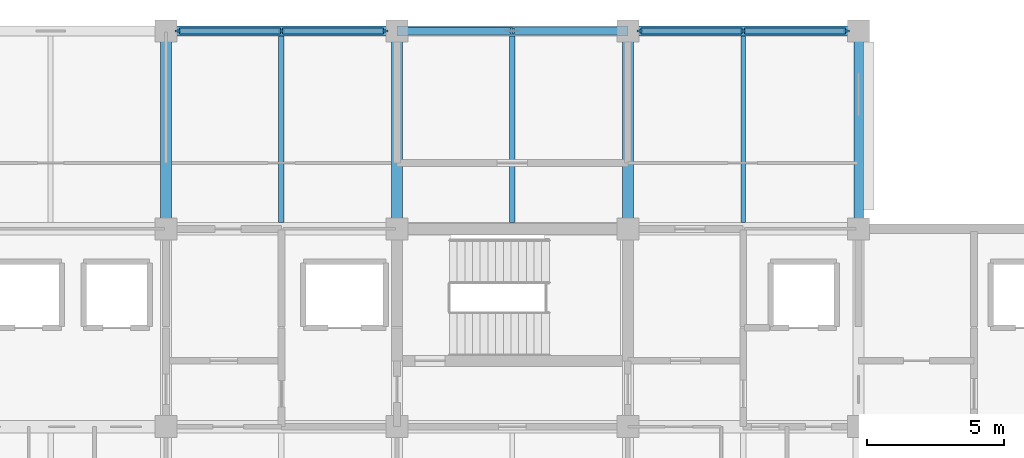
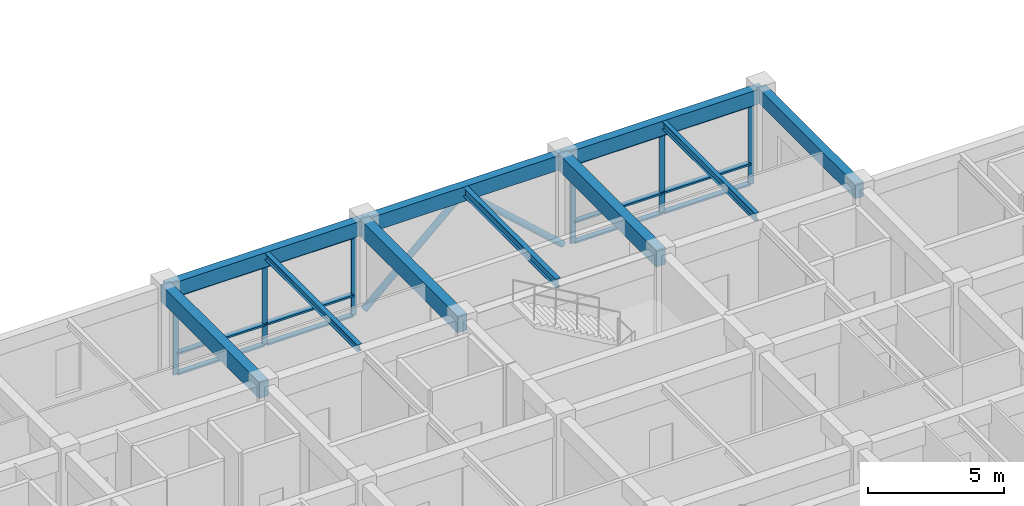
# One storey, part 9 of 30: 20 members, 10 beams, 2 elements without a shape of their own.
"""IFC4 building model written with IfcOpenShell, lengths in metres."""

from ifc_helpers import new_model, si_unit, direction, frame, origin, origin_2d, place, context, subcontext, project, spatial, rectangle, hollow_circle, i_section, extrude, material, layer, layer_set, material_profile, profile_set, type_object, element, aggregate, save


model = new_model("IFC4")

# Units and contexts
model_context = context("Model", 3, precision=1e-05, world=origin(), true_north=direction((0.0, 1.0)))
body_context = subcontext(model_context, "Body", "Model", "MODEL_VIEW")
ifc_project = project(units=[si_unit("LENGTHUNIT", "METRE"), si_unit("AREAUNIT", "SQUARE_METRE"), si_unit("VOLUMEUNIT", "CUBIC_METRE"), si_unit("PLANEANGLEUNIT", "RADIAN"), si_unit("MASSUNIT", "GRAM", prefix="KILO")], contexts=[model_context])

# Site, building, storey
site_placement = place(None, origin())
site = spatial("IfcSite", under=ifc_project, at=site_placement, CompositionType="ELEMENT")
building_placement = place(site_placement, origin())
building = spatial("IfcBuilding", under=site, at=building_placement, Name="Chengyuan Square Courthouse", CompositionType="ELEMENT")
storey_placement = place(building_placement, frame((0.0, 0.0, 26.10009765625)))
storey = spatial("IfcBuildingStorey", under=building, at=storey_placement, Name="L06", CompositionType="ELEMENT", Elevation=26.10009765625)

# Beams
ifc_material_1 = material(Name="Concrete C40", Category="concrete")
ifc_material_profile_1 = material_profile(ifc_material_1, rectangle(XDim=0.39990234375, YDim=0.75, at=origin_2d()), Name="RC-BM-400x750")
ifc_profile_set_1 = profile_set([ifc_material_profile_1], Name="Concrete C40")
beam_type_1 = type_object("IfcBeamType", Name="BM-02", PredefinedType="USERDEFINED", material=ifc_profile_set_1)
for number, where, z_axis, x_axis, name in (
    (1, (92.39990234375, 108.0, 3.864990234375), (0.0, 1.0, 0.0), (-1.0, 0.0, 0.0), "Girder BM-L06-3498"),
    (2, (100.800048828125, 108.0, 3.864990234375), (0.0, 1.0, 0.0), (-1.0, 0.0, 0.0), "Girder BM-L06-3503"),
    (3, (109.199951171875, 108.0, 3.864990234375), (0.0, 1.0, 0.0), (-1.0, 0.0, 0.0), "Girder BM-L06-3508"),
):
    element("IfcBeam", number, at=place(storey_placement, frame(where, z_axis=z_axis, x_axis=x_axis)), inside=storey, type_object=beam_type_1, Name=name, ObjectType="GIRDER", PredefinedType="USERDEFINED", context=body_context, shape_type="SweptSolid", body=[
        extrude(rectangle(XDim=0.39990234375, YDim=0.75, at=origin_2d()), origin(), (0.0, 0.0, 1.0), 7.199951171875),
    ])
ifc_material_profile_2 = material_profile(ifc_material_1, rectangle(XDim=0.35009765625, YDim=0.64990234375, at=origin_2d()), Name="RC-BM-350x650")
ifc_profile_set_2 = profile_set([ifc_material_profile_2], Name="Concrete C40")
beam_type_2 = type_object("IfcBeamType", Name="BM-03", PredefinedType="SPANDREL", material=ifc_profile_set_2)
beam_1_placement = place(storey_placement, frame((92.39990234375, 115.199951171875, 3.914794921875), z_axis=(1.0, 0.0, 0.0), x_axis=(0.0, 1.0, 0.0)))
element("IfcBeam", 4, at=beam_1_placement, inside=storey, type_object=beam_type_2, Name="Girder BM-L06-3457", PredefinedType="SPANDREL", context=body_context, shape_type="SweptSolid", body=[
    extrude(rectangle(XDim=0.35009765625, YDim=0.64990234375, at=origin_2d()), origin(), (0.0, 0.0, 1.0), 8.400146484375),
])
beam_2_placement = place(storey_placement, frame((100.800048828125, 115.199951171875, 3.914794921875), z_axis=(1.0, 0.0, 0.0), x_axis=(0.0, 1.0, 0.0)))
element("IfcBeam", 5, at=beam_2_placement, inside=storey, type_object=beam_type_2, Name="Girder BM-L06-3458", PredefinedType="SPANDREL", context=body_context, shape_type="SweptSolid", body=[
    extrude(rectangle(XDim=0.35009765625, YDim=0.64990234375, at=origin_2d()), origin(), (0.0, 0.0, 1.0), 8.39990234375),
])
beam_3_placement = place(storey_placement, frame((109.199951171875, 115.199951171875, 3.914794921875), z_axis=(1.0, 0.0, 0.0), x_axis=(0.0, 1.0, 0.0)))
element("IfcBeam", 6, at=beam_3_placement, inside=storey, type_object=beam_type_2, Name="Girder BM-L06-3459", PredefinedType="SPANDREL", context=body_context, shape_type="SweptSolid", body=[
    extrude(rectangle(XDim=0.35009765625, YDim=0.64990234375, at=origin_2d()), origin(), (0.0, 0.0, 1.0), 8.400146484375),
])
beam_4_placement = place(storey_placement, frame((117.60009765625, 108.0, 3.914794921875), z_axis=(0.0, 1.0, 0.0), x_axis=(-1.0, 0.0, 0.0)))
element("IfcBeam", 7, at=beam_4_placement, inside=storey, type_object=beam_type_2, Name="Girder BM-L06-3513", PredefinedType="SPANDREL", context=body_context, shape_type="SweptSolid", body=[
    extrude(rectangle(XDim=0.35009765625, YDim=0.64990234375, at=origin_2d()), origin(), (0.0, 0.0, 1.0), 7.199951171875),
])
ifc_material_2 = material(Name="Steel Q355B", Category="steel")
ifc_material_profile_3 = material_profile(ifc_material_2, i_section(OverallWidth=0.199951171875, OverallDepth=0.39990234375, WebThickness=0.008056640625, FlangeThickness=0.012939453125, at=origin_2d()), Name="HN 400x200x8x13")
ifc_profile_set_3 = profile_set([ifc_material_profile_3], Name="Steel Q355B")
beam_type_3 = type_object("IfcBeamType", Name="BM-07", PredefinedType="BEAM", material=ifc_profile_set_3)
beam_5_placement = place(storey_placement, frame((105.0, 108.22509765625, 4.039794921875), z_axis=(0.0, 1.0, 0.0), x_axis=(-1.0, 0.0, 0.0)))
element("IfcBeam", 8, at=beam_5_placement, inside=storey, type_object=beam_type_3, Name="Secondary Floor Beam SBM-L06-3560", PredefinedType="BEAM", context=body_context, shape_type="SweptSolid", body=[
    extrude(i_section(OverallWidth=0.199951171875, OverallDepth=0.39990234375, WebThickness=0.008056640625, FlangeThickness=0.012939453125, at=origin_2d()), origin(), (0.0, 0.0, 1.0), 6.7998046875),
])
ifc_material_profile_4 = material_profile(ifc_material_2, i_section(OverallWidth=0.175048828125, OverallDepth=0.35009765625, WebThickness=0.007080078125, FlangeThickness=0.010986328125, at=origin_2d()), Name="HN 350x175x7x11")
ifc_profile_set_4 = profile_set([ifc_material_profile_4], Name="Steel Q355B")
beam_type_4 = type_object("IfcBeamType", Name="BM-08", PredefinedType="BEAM", material=ifc_profile_set_4)
beam_6_placement = place(storey_placement, frame((113.39990234375, 108.22509765625, 4.06494140625), z_axis=(0.0, 1.0, 0.0), x_axis=(-1.0, 0.0, 0.0)))
element("IfcBeam", 9, at=beam_6_placement, inside=storey, type_object=beam_type_4, Name="Secondary Floor Beam SBM-L06-3565", PredefinedType="BEAM", context=body_context, shape_type="SweptSolid", body=[
    extrude(i_section(OverallWidth=0.175048828125, OverallDepth=0.35009765625, WebThickness=0.007080078125, FlangeThickness=0.010986328125, at=origin_2d()), origin(), (0.0, 0.0, 1.0), 6.7998046875),
])
ifc_material_profile_5 = material_profile(ifc_material_2, i_section(OverallWidth=0.199951171875, OverallDepth=0.300048828125, WebThickness=0.008056640625, FlangeThickness=0.011962890625, at=origin_2d()), Name="HM 300x200x8x12")
ifc_profile_set_5 = profile_set([ifc_material_profile_5], Name="Steel Q355B")
beam_type_5 = type_object("IfcBeamType", Name="BM-09", PredefinedType="BEAM", material=ifc_profile_set_5)
beam_7_placement = place(storey_placement, frame((96.60009765625, 108.22509765625, 4.08984375), z_axis=(0.0, 1.0, 0.0), x_axis=(-1.0, 0.0, 0.0)))
element("IfcBeam", 10, at=beam_7_placement, inside=storey, type_object=beam_type_5, Name="Secondary Floor Beam SBM-L06-3557", PredefinedType="BEAM", context=body_context, shape_type="SweptSolid", body=[
    extrude(i_section(OverallWidth=0.199951171875, OverallDepth=0.300048828125, WebThickness=0.008056640625, FlangeThickness=0.011962890625, at=origin_2d()), origin(), (0.0, 0.0, 1.0), 6.7998046875),
])

# Members
ifc_material_profile_6 = material_profile(ifc_material_2, hollow_circle(Radius=0.136474609375, WallThickness=0.010009765625, at=origin_2d()), Name="CHS 273x10")
ifc_profile_set_6 = profile_set([ifc_material_profile_6], Name="Steel Q355B")
member_type_1 = type_object("IfcMemberType", Name="BR-01", PredefinedType="BRACE", material=ifc_profile_set_6)
for number, where, z_axis, x_axis, name in (
    (11, (100.800048828125, 115.199951171875, 0.099853515625), (0.742407252639, 0.0, 0.669948857174), (0.0, 1.0, 0.0), "Steel Chevron Brace BR-L06-023"),
    (12, (109.199951171875, 115.199951171875, 0.099853515625), (-0.742407252639, 0.0, 0.669948857174), (0.0, -1.0, 0.0), "Steel Chevron Brace BR-L06-024"),
):
    element("IfcMember", number, at=place(storey_placement, frame(where, z_axis=z_axis, x_axis=x_axis)), inside=storey, type_object=member_type_1, Name=name, PredefinedType="BRACE", context=body_context, shape_type="SweptSolid", body=[
        extrude(hollow_circle(Radius=0.136474609375, WallThickness=0.010009765625, at=origin_2d()), origin(), (0.0, 0.0, 1.0), 5.6572265625),
    ])

# Curtain wall, members
ifc_material_3 = material(Name="Unitised Aluminium and Triple Low-E Glass", Category="aluminium")
ifc_layer = layer(ifc_material_3, 0.219970703125)
ifc_layer_set = layer_set([ifc_layer], Name="Unitised Aluminium and Triple Low-E Glass")
curtain_wall_type = type_object("IfcCurtainWallType", Name="CW-16", PredefinedType="USERDEFINED", material=ifc_layer_set)
curtain_wall_1_placement = place(storey_placement, origin())
curtain_wall_1 = element("IfcCurtainWall", 13, at=curtain_wall_1_placement, inside=storey, type_object=curtain_wall_type, Name="Unitised Curtain Wall CW-L06-193", ObjectType="UNITISED CURTAIN WALL", PredefinedType="USERDEFINED")
ifc_material_4 = material(Name="Aluminium 6063-T6 Frame", Category="aluminium")
ifc_material_profile_7 = material_profile(ifc_material_4, rectangle(XDim=0.080078125, YDim=0.219970703125, at=origin_2d()), Name="CW-MUL-80x220")
ifc_profile_set_7 = profile_set([ifc_material_profile_7], Name="Aluminium 6063-T6 Frame")
member_type_2 = type_object("IfcMemberType", Name="CWM-04", PredefinedType="MULLION", material=ifc_profile_set_7)
member_1_placement = place(storey_placement, frame((92.840087890625, 115.199951171875, 0.0), z_axis=(0.0, 0.0, 1.0), x_axis=(0.0, 1.0, 0.0)))
member_1 = element("IfcMember", 14, at=member_1_placement, type_object=member_type_2, Name="CW-16 mullion 1", PredefinedType="MULLION", context=body_context, shape_type="SweptSolid", body=[
    extrude(rectangle(XDim=0.080078125, YDim=0.219970703125, at=origin_2d()), origin(), (0.0, 0.0, 1.0), 3.58984375),
])
member_2_placement = place(storey_placement, frame((96.60009765625, 115.199951171875, 0.0), z_axis=(0.0, 0.0, 1.0), x_axis=(0.0, 1.0, 0.0)))
member_2 = element("IfcMember", 15, at=member_2_placement, type_object=member_type_2, Name="CW-16 mullion 2", PredefinedType="MULLION", context=body_context, shape_type="SweptSolid", body=[
    extrude(rectangle(XDim=0.080078125, YDim=0.219970703125, at=origin_2d()), origin(), (0.0, 0.0, 1.0), 3.58984375),
])
member_3_placement = place(storey_placement, frame((100.360107421875, 115.199951171875, 0.0), z_axis=(0.0, 0.0, 1.0), x_axis=(0.0, 1.0, 0.0)))
member_3 = element("IfcMember", 16, at=member_3_placement, type_object=member_type_2, Name="CW-16 mullion 3", PredefinedType="MULLION", context=body_context, shape_type="SweptSolid", body=[
    extrude(rectangle(XDim=0.080078125, YDim=0.219970703125, at=origin_2d()), origin(), (0.0, 0.0, 1.0), 3.58984375),
])

curtain_wall_2_placement = place(storey_placement, origin())
curtain_wall_2 = element("IfcCurtainWall", 17, at=curtain_wall_2_placement, inside=storey, type_object=curtain_wall_type, Name="Unitised Curtain Wall CW-L06-196", ObjectType="UNITISED CURTAIN WALL", PredefinedType="USERDEFINED")
member_4_placement = place(storey_placement, frame((109.639892578125, 115.199951171875, 0.0), z_axis=(0.0, 0.0, 1.0), x_axis=(0.0, 1.0, 0.0)))
member_4 = element("IfcMember", 18, at=member_4_placement, type_object=member_type_2, Name="CW-16 mullion 1", PredefinedType="MULLION", context=body_context, shape_type="SweptSolid", body=[
    extrude(rectangle(XDim=0.080078125, YDim=0.219970703125, at=origin_2d()), origin(), (0.0, 0.0, 1.0), 3.58984375),
])
member_5_placement = place(storey_placement, frame((113.39990234375, 115.199951171875, 0.0), z_axis=(0.0, 0.0, 1.0), x_axis=(0.0, 1.0, 0.0)))
member_5 = element("IfcMember", 19, at=member_5_placement, type_object=member_type_2, Name="CW-16 mullion 2", PredefinedType="MULLION", context=body_context, shape_type="SweptSolid", body=[
    extrude(rectangle(XDim=0.080078125, YDim=0.219970703125, at=origin_2d()), origin(), (0.0, 0.0, 1.0), 3.58984375),
])
member_6_placement = place(storey_placement, frame((117.159912109375, 115.199951171875, 0.0), z_axis=(0.0, 0.0, 1.0), x_axis=(0.0, 1.0, 0.0)))
member_6 = element("IfcMember", 20, at=member_6_placement, type_object=member_type_2, Name="CW-16 mullion 3", PredefinedType="MULLION", context=body_context, shape_type="SweptSolid", body=[
    extrude(rectangle(XDim=0.080078125, YDim=0.219970703125, at=origin_2d()), origin(), (0.0, 0.0, 1.0), 3.58984375),
])

# Member
ifc_material_profile_8 = material_profile(ifc_material_4, rectangle(XDim=0.219970703125, YDim=0.080078125, at=origin_2d()), Name="CW-TRN-80x180")
ifc_profile_set_8 = profile_set([ifc_material_profile_8], Name="Aluminium 6063-T6 Frame")
member_type_3 = type_object("IfcMemberType", Name="CWT-04", PredefinedType="USERDEFINED", material=ifc_profile_set_8)
member_7_placement = place(storey_placement, frame((92.8798828125, 115.199951171875, 0.039794921875), z_axis=(1.0, 0.0, 0.0), x_axis=(0.0, 1.0, 0.0)))
member_7 = element("IfcMember", 21, at=member_7_placement, type_object=member_type_3, Name="CW-16 transom 1.1", ObjectType="TRANSOM", PredefinedType="USERDEFINED", context=body_context, shape_type="SweptSolid", body=[
    extrude(rectangle(XDim=0.219970703125, YDim=0.080078125, at=origin_2d()), origin(), (0.0, 0.0, 1.0), 3.68017578125),
])

member_8_placement = place(storey_placement, frame((92.8798828125, 115.199951171875, 0.949951171875), z_axis=(1.0, 0.0, 0.0), x_axis=(0.0, 1.0, 0.0)))
member_8 = element("IfcMember", 22, at=member_8_placement, type_object=member_type_3, Name="CW-16 transom 1.2", ObjectType="TRANSOM", PredefinedType="USERDEFINED", context=body_context, shape_type="SweptSolid", body=[
    extrude(rectangle(XDim=0.219970703125, YDim=0.080078125, at=origin_2d()), origin(), (0.0, 0.0, 1.0), 3.68017578125),
])

member_9_placement = place(storey_placement, frame((92.8798828125, 115.199951171875, 3.5498046875), z_axis=(1.0, 0.0, 0.0), x_axis=(0.0, 1.0, 0.0)))
member_9 = element("IfcMember", 23, at=member_9_placement, type_object=member_type_3, Name="CW-16 transom 1.3", ObjectType="TRANSOM", PredefinedType="USERDEFINED", context=body_context, shape_type="SweptSolid", body=[
    extrude(rectangle(XDim=0.219970703125, YDim=0.080078125, at=origin_2d()), origin(), (0.0, 0.0, 1.0), 3.68017578125),
])

member_10_placement = place(storey_placement, frame((96.639892578125, 115.199951171875, 0.039794921875), z_axis=(1.0, 0.0, 0.0), x_axis=(0.0, 1.0, 0.0)))
member_10 = element("IfcMember", 24, at=member_10_placement, type_object=member_type_3, Name="CW-16 transom 2.1", ObjectType="TRANSOM", PredefinedType="USERDEFINED", context=body_context, shape_type="SweptSolid", body=[
    extrude(rectangle(XDim=0.219970703125, YDim=0.080078125, at=origin_2d()), origin(), (0.0, 0.0, 1.0), 3.68017578125),
])

member_11_placement = place(storey_placement, frame((96.639892578125, 115.199951171875, 0.949951171875), z_axis=(1.0, 0.0, 0.0), x_axis=(0.0, 1.0, 0.0)))
member_11 = element("IfcMember", 25, at=member_11_placement, type_object=member_type_3, Name="CW-16 transom 2.2", ObjectType="TRANSOM", PredefinedType="USERDEFINED", context=body_context, shape_type="SweptSolid", body=[
    extrude(rectangle(XDim=0.219970703125, YDim=0.080078125, at=origin_2d()), origin(), (0.0, 0.0, 1.0), 3.68017578125),
])

member_12_placement = place(storey_placement, frame((96.639892578125, 115.199951171875, 3.5498046875), z_axis=(1.0, 0.0, 0.0), x_axis=(0.0, 1.0, 0.0)))
member_12 = element("IfcMember", 26, at=member_12_placement, type_object=member_type_3, Name="CW-16 transom 2.3", ObjectType="TRANSOM", PredefinedType="USERDEFINED", context=body_context, shape_type="SweptSolid", body=[
    extrude(rectangle(XDim=0.219970703125, YDim=0.080078125, at=origin_2d()), origin(), (0.0, 0.0, 1.0), 3.68017578125),
])

aggregate(curtain_wall_1, [member_1, member_2, member_3, member_7, member_8, member_9, member_10, member_11, member_12])

member_13_placement = place(storey_placement, frame((109.679931640625, 115.199951171875, 0.039794921875), z_axis=(1.0, 0.0, 0.0), x_axis=(0.0, 1.0, 0.0)))
member_13 = element("IfcMember", 27, at=member_13_placement, type_object=member_type_3, Name="CW-16 transom 1.1", ObjectType="TRANSOM", PredefinedType="USERDEFINED", context=body_context, shape_type="SweptSolid", body=[
    extrude(rectangle(XDim=0.219970703125, YDim=0.080078125, at=origin_2d()), origin(), (0.0, 0.0, 1.0), 3.68017578125),
])

member_14_placement = place(storey_placement, frame((109.679931640625, 115.199951171875, 0.949951171875), z_axis=(1.0, 0.0, 0.0), x_axis=(0.0, 1.0, 0.0)))
member_14 = element("IfcMember", 28, at=member_14_placement, type_object=member_type_3, Name="CW-16 transom 1.2", ObjectType="TRANSOM", PredefinedType="USERDEFINED", context=body_context, shape_type="SweptSolid", body=[
    extrude(rectangle(XDim=0.219970703125, YDim=0.080078125, at=origin_2d()), origin(), (0.0, 0.0, 1.0), 3.68017578125),
])

member_15_placement = place(storey_placement, frame((109.679931640625, 115.199951171875, 3.5498046875), z_axis=(1.0, 0.0, 0.0), x_axis=(0.0, 1.0, 0.0)))
member_15 = element("IfcMember", 29, at=member_15_placement, type_object=member_type_3, Name="CW-16 transom 1.3", ObjectType="TRANSOM", PredefinedType="USERDEFINED", context=body_context, shape_type="SweptSolid", body=[
    extrude(rectangle(XDim=0.219970703125, YDim=0.080078125, at=origin_2d()), origin(), (0.0, 0.0, 1.0), 3.68017578125),
])

member_16_placement = place(storey_placement, frame((113.43994140625, 115.199951171875, 0.039794921875), z_axis=(1.0, 0.0, 0.0), x_axis=(0.0, 1.0, 0.0)))
member_16 = element("IfcMember", 30, at=member_16_placement, type_object=member_type_3, Name="CW-16 transom 2.1", ObjectType="TRANSOM", PredefinedType="USERDEFINED", context=body_context, shape_type="SweptSolid", body=[
    extrude(rectangle(XDim=0.219970703125, YDim=0.080078125, at=origin_2d()), origin(), (0.0, 0.0, 1.0), 3.68017578125),
])

member_17_placement = place(storey_placement, frame((113.43994140625, 115.199951171875, 0.949951171875), z_axis=(1.0, 0.0, 0.0), x_axis=(0.0, 1.0, 0.0)))
member_17 = element("IfcMember", 31, at=member_17_placement, type_object=member_type_3, Name="CW-16 transom 2.2", ObjectType="TRANSOM", PredefinedType="USERDEFINED", context=body_context, shape_type="SweptSolid", body=[
    extrude(rectangle(XDim=0.219970703125, YDim=0.080078125, at=origin_2d()), origin(), (0.0, 0.0, 1.0), 3.68017578125),
])

member_18_placement = place(storey_placement, frame((113.43994140625, 115.199951171875, 3.5498046875), z_axis=(1.0, 0.0, 0.0), x_axis=(0.0, 1.0, 0.0)))
member_18 = element("IfcMember", 32, at=member_18_placement, type_object=member_type_3, Name="CW-16 transom 2.3", ObjectType="TRANSOM", PredefinedType="USERDEFINED", context=body_context, shape_type="SweptSolid", body=[
    extrude(rectangle(XDim=0.219970703125, YDim=0.080078125, at=origin_2d()), origin(), (0.0, 0.0, 1.0), 3.68017578125),
])

aggregate(curtain_wall_2, [member_4, member_5, member_6, member_13, member_14, member_15, member_16, member_17, member_18])

save(model, "model.ifc")
